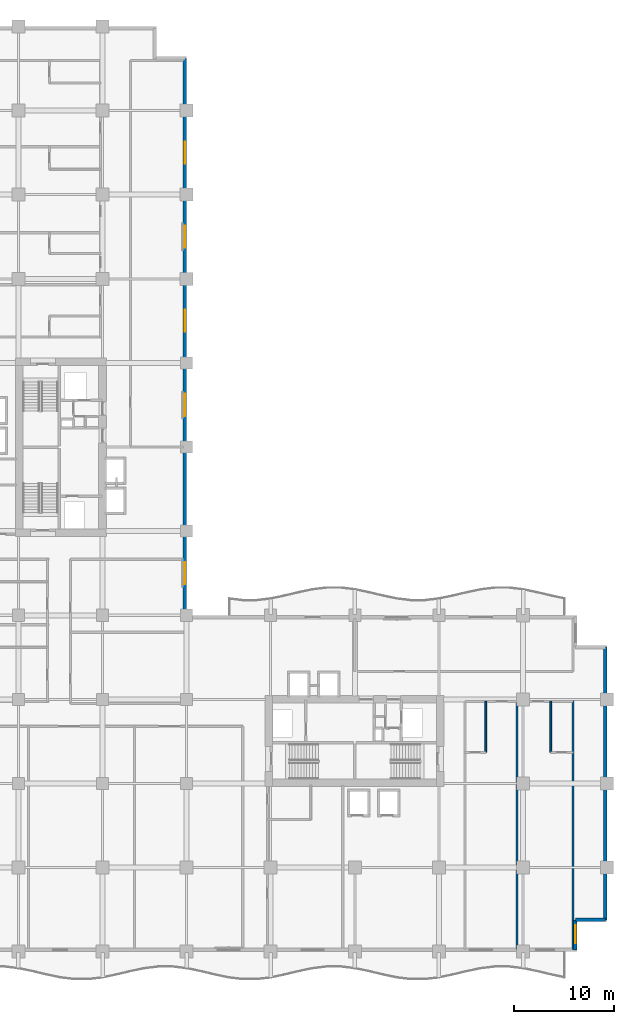
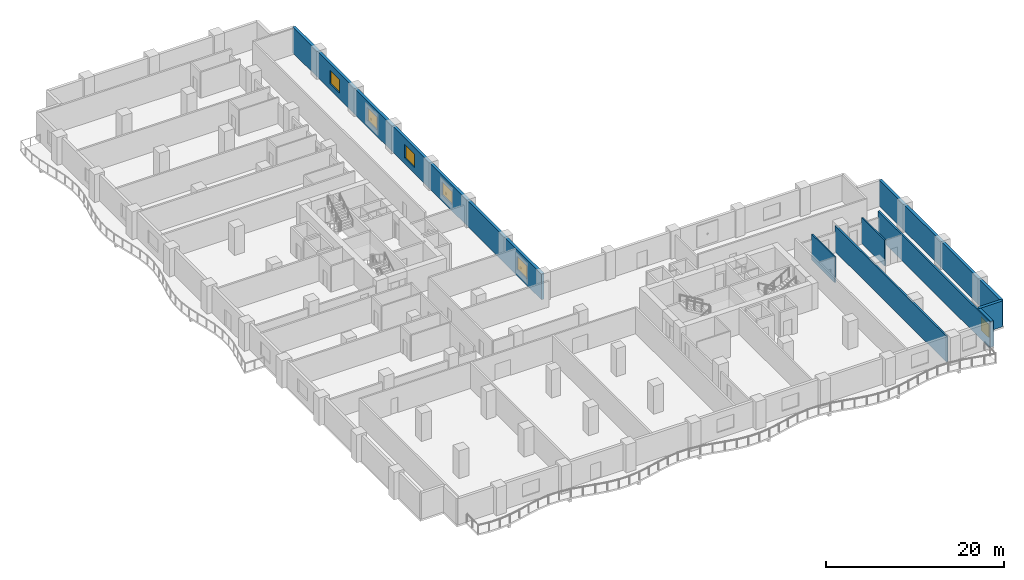
# One storey, part 9 of 18: 8 walls, 6 windows, 6 openings.
"""IFC4 building model written with IfcOpenShell, lengths in metres."""

from ifc_helpers import new_model, si_unit, direction, frame, frame_2d, origin, place, context, subcontext, project, spatial, rectangle, extrude, material, layer, layer_set, type_object, element, fill, save


model = new_model("IFC4")

# Units and contexts
model_context = context("Model", 3, precision=1e-05, world=origin(), true_north=direction((0.0, 1.0)))
body_context = subcontext(model_context, "Body", "Model", "MODEL_VIEW")
ifc_project = project(units=[si_unit("LENGTHUNIT", "METRE"), si_unit("AREAUNIT", "SQUARE_METRE"), si_unit("VOLUMEUNIT", "CUBIC_METRE"), si_unit("PLANEANGLEUNIT", "RADIAN"), si_unit("MASSUNIT", "GRAM", prefix="KILO")], contexts=[model_context])

# Site, building, storey
site_placement = place(None, origin())
site = spatial("IfcSite", under=ifc_project, at=site_placement, CompositionType="ELEMENT")
building_placement = place(site_placement, origin())
building = spatial("IfcBuilding", under=site, at=building_placement, Name="Koriwani Terraces Tower", CompositionType="ELEMENT")
storey_placement = place(building_placement, frame((0.0, 0.0, 145.60009765625)))
storey = spatial("IfcBuildingStorey", under=building, at=storey_placement, Name="L35", CompositionType="ELEMENT", Elevation=145.60009765625)

# Walls
ifc_material_1 = material(Name="Autoclaved Cellular Concrete Blockwork", Category="masonry")
ifc_layer_1 = layer(ifc_material_1, 0.219970703125, Name="Autoclaved Cellular Concrete Blockwork")
ifc_layer_set_1 = layer_set([ifc_layer_1], Name="Autoclaved Cellular Concrete Blockwork")
wall_type_1 = type_object("IfcWallType", Name="WALL_DEMISING_220", PredefinedType="PARTITIONING", material=ifc_layer_set_1)
for number, where, z_axis, x_axis, name in (
    (1, (66.60009765625, 0.199951171875, 0.0), (0.0, 0.0, 1.0), (0.0, 1.0, 0.0), "L35 Interior Wall WDEM-L35-SE-1"),
    (2, (72.199951171875, 0.199951171875, 0.0), (0.0, 0.0, 1.0), (0.0, 1.0, 0.0), "L35 Interior Wall WDEME-L35-SE"),
):
    element("IfcWall", number, at=place(storey_placement, frame(where, z_axis=z_axis, x_axis=x_axis)), inside=storey, type_object=wall_type_1, Name=name, PredefinedType="PARTITIONING", context=body_context, shape_type="SweptSolid", body=[
        extrude(rectangle(XDim=24.97998046875, YDim=0.219970703125, at=frame_2d((12.489990234375, 0.0))), origin(), (0.0, 0.0, 1.0), 3.5498046875),
    ])

# Wall, openings, windows
ifc_material_2 = material(Name="Concrete C50/60", Category="concrete")
ifc_layer_2 = layer(ifc_material_2, 0.35009765625, Name="Concrete C50/60")
ifc_layer_set_2 = layer_set([ifc_layer_2], Name="Concrete C50/60")
wall_type_2 = type_object("IfcWallType", Name="WALL_EXT_BRUTALIST_350", PredefinedType="STANDARD", material=ifc_layer_set_2)
wall_1_placement = place(storey_placement, frame((33.425048828125, 89.22509765625, 0.0), z_axis=(0.0, 0.0, 1.0), x_axis=(0.0, -1.0, 0.0)))
wall_1 = element("IfcWall", 3, at=wall_1_placement, inside=storey, type_object=wall_type_2, Name="L35 Fair-Faced Brutalist Exterior Wall (NW_IN)", PredefinedType="STANDARD", context=body_context, shape_type="SweptSolid", body=[
    extrude(rectangle(XDim=55.800048828125, YDim=0.35009765625, at=frame_2d((27.89990234375, 0.0))), origin(), (0.0, 0.0, 1.0), 3.5498046875),
])
opening_1_placement = place(wall_1_placement, frame((50.324951171875, 0.0, 0.85009765625)))
opening_1 = element("IfcOpeningElement", 4, at=opening_1_placement, cuts=wall_1, Name="Opening W-01", PredefinedType="OPENING", context=body_context, shape_type="SweptSolid", body=[
    extrude(rectangle(XDim=2.199951171875, YDim=1.800048828125, at=frame_2d((1.10009765625, 0.89990234375))), frame((0.0, 0.18505859375, 0.0), z_axis=(0.0, -1.0, 0.0), x_axis=(1.0, 0.0, 0.0)), (0.0, 0.0, 1.0), 0.3701171875),
])
opening_2_placement = place(wall_1_placement, frame((33.52490234375, 0.0, 0.85009765625)))
opening_2 = element("IfcOpeningElement", 5, at=opening_2_placement, cuts=wall_1, Name="Opening W-01", PredefinedType="OPENING", context=body_context, shape_type="SweptSolid", body=[
    extrude(rectangle(XDim=2.199951171875, YDim=1.800048828125, at=frame_2d((1.10009765625, 0.89990234375))), frame((0.0, 0.18505859375, 0.0), z_axis=(0.0, -1.0, 0.0), x_axis=(1.0, 0.0, 0.0)), (0.0, 0.0, 1.0), 0.3701171875),
])
opening_3_placement = place(wall_1_placement, frame((25.125, 0.0, 0.85009765625)))
opening_3 = element("IfcOpeningElement", 6, at=opening_3_placement, cuts=wall_1, Name="Opening W-01", PredefinedType="OPENING", context=body_context, shape_type="SweptSolid", body=[
    extrude(rectangle(XDim=2.199951171875, YDim=1.800048828125, at=frame_2d((1.10009765625, 0.89990234375))), frame((0.0, 0.18505859375, 0.0), z_axis=(0.0, -1.0, 0.0), x_axis=(1.0, 0.0, 0.0)), (0.0, 0.0, 1.0), 0.3701171875),
])
opening_4_placement = place(wall_1_placement, frame((16.72509765625, 0.0, 0.85009765625)))
opening_4 = element("IfcOpeningElement", 7, at=opening_4_placement, cuts=wall_1, Name="Opening W-01", PredefinedType="OPENING", context=body_context, shape_type="SweptSolid", body=[
    extrude(rectangle(XDim=2.199951171875, YDim=1.800048828125, at=frame_2d((1.10009765625, 0.89990234375))), frame((0.0, 0.18505859375, 0.0), z_axis=(0.0, -1.0, 0.0), x_axis=(1.0, 0.0, 0.0)), (0.0, 0.0, 1.0), 0.3701171875),
])
opening_5_placement = place(wall_1_placement, frame((8.324951171875, 0.0, 0.85009765625)))
opening_5 = element("IfcOpeningElement", 8, at=opening_5_placement, cuts=wall_1, Name="Opening W-01", PredefinedType="OPENING", context=body_context, shape_type="SweptSolid", body=[
    extrude(rectangle(XDim=2.199951171875, YDim=1.800048828125, at=frame_2d((1.10009765625, 0.89990234375))), frame((0.0, 0.18505859375, 0.0), z_axis=(0.0, -1.0, 0.0), x_axis=(1.0, 0.0, 0.0)), (0.0, 0.0, 1.0), 0.3701171875),
])
ifc_material_3 = material(Name="Tempered Laminated Low-E Glass", Category="glass")
window_type_1 = type_object("IfcWindowType", Name="WIN_HOTEL_STD_2200X1800", PartitioningType="DOUBLE_PANEL_VERTICAL", PredefinedType="WINDOW", material=ifc_material_3)
window_1_placement = place(opening_1_placement, origin())
window_1 = element("IfcWindow", 9, at=window_1_placement, inside=storey, type_object=window_type_1, Name="L35 Exterior Window (NW_IN-2)", OverallHeight=1.800048828125, OverallWidth=2.199951171875, PartitioningType="SINGLE_PANEL", PredefinedType="WINDOW", context=body_context, shape_type="SweptSolid", body=[
    extrude(rectangle(XDim=2.199951171875, YDim=1.800048828125, at=frame_2d((1.10009765625, 0.89990234375))), frame((0.0, 0.030029296875, 0.0), z_axis=(0.0, -1.0, 0.0), x_axis=(1.0, 0.0, 0.0)), (0.0, 0.0, 1.0), 0.06005859375),
])
fill(opening_1, window_1)
window_2_placement = place(opening_2_placement, origin())
window_2 = element("IfcWindow", 10, at=window_2_placement, inside=storey, type_object=window_type_1, Name="L35 Exterior Window (NW_IN-8)", OverallHeight=1.800048828125, OverallWidth=2.199951171875, PartitioningType="SINGLE_PANEL", PredefinedType="WINDOW", context=body_context, shape_type="SweptSolid", body=[
    extrude(rectangle(XDim=2.199951171875, YDim=1.800048828125, at=frame_2d((1.10009765625, 0.89990234375))), frame((0.0, 0.030029296875, 0.0), z_axis=(0.0, -1.0, 0.0), x_axis=(1.0, 0.0, 0.0)), (0.0, 0.0, 1.0), 0.06005859375),
])
fill(opening_2, window_2)
window_3_placement = place(opening_3_placement, origin())
window_3 = element("IfcWindow", 11, at=window_3_placement, inside=storey, type_object=window_type_1, Name="L35 Exterior Window (NW_IN-11)", OverallHeight=1.800048828125, OverallWidth=2.199951171875, PartitioningType="SINGLE_PANEL", PredefinedType="WINDOW", context=body_context, shape_type="SweptSolid", body=[
    extrude(rectangle(XDim=2.199951171875, YDim=1.800048828125, at=frame_2d((1.10009765625, 0.89990234375))), frame((0.0, 0.030029296875, 0.0), z_axis=(0.0, -1.0, 0.0), x_axis=(1.0, 0.0, 0.0)), (0.0, 0.0, 1.0), 0.06005859375),
])
fill(opening_3, window_3)
window_4_placement = place(opening_4_placement, origin())
window_4 = element("IfcWindow", 12, at=window_4_placement, inside=storey, type_object=window_type_1, Name="L35 Exterior Window (NW_IN-14)", OverallHeight=1.800048828125, OverallWidth=2.199951171875, PartitioningType="SINGLE_PANEL", PredefinedType="WINDOW", context=body_context, shape_type="SweptSolid", body=[
    extrude(rectangle(XDim=2.199951171875, YDim=1.800048828125, at=frame_2d((1.10009765625, 0.89990234375))), frame((0.0, 0.030029296875, 0.0), z_axis=(0.0, -1.0, 0.0), x_axis=(1.0, 0.0, 0.0)), (0.0, 0.0, 1.0), 0.06005859375),
])
fill(opening_4, window_4)
window_5_placement = place(opening_5_placement, origin())
window_5 = element("IfcWindow", 13, at=window_5_placement, inside=storey, type_object=window_type_1, Name="L35 Exterior Window (NW_IN-17)", OverallHeight=1.800048828125, OverallWidth=2.199951171875, PartitioningType="SINGLE_PANEL", PredefinedType="WINDOW", context=body_context, shape_type="SweptSolid", body=[
    extrude(rectangle(XDim=2.199951171875, YDim=1.800048828125, at=frame_2d((1.10009765625, 0.89990234375))), frame((0.0, 0.030029296875, 0.0), z_axis=(0.0, -1.0, 0.0), x_axis=(1.0, 0.0, 0.0)), (0.0, 0.0, 1.0), 0.06005859375),
])
fill(opening_5, window_5)

# Walls
wall_2_placement = place(storey_placement, frame((75.425048828125, 30.425048828125, 0.0), z_axis=(0.0, 0.0, 1.0), x_axis=(0.0, -1.0, 0.0)))
element("IfcWall", 14, at=wall_2_placement, inside=storey, type_object=wall_type_2, Name="L35 Fair-Faced Brutalist Exterior Wall (E_TIP)", PredefinedType="STANDARD", context=body_context, shape_type="SweptSolid", body=[
    extrude(rectangle(XDim=27.25, YDim=0.35009765625, at=frame_2d((13.625, 0.0))), origin(), (0.0, 0.0, 1.0), 3.5498046875),
])
wall_3_placement = place(storey_placement, frame((75.425048828125, 3.175048828125, 0.0), z_axis=(0.0, 0.0, 1.0), x_axis=(-1.0, 0.0, 0.0)))
element("IfcWall", 15, at=wall_3_placement, inside=storey, type_object=wall_type_2, Name="L35 Fair-Faced Brutalist Exterior Wall (N13)", PredefinedType="STANDARD", context=body_context, shape_type="SweptSolid", body=[
    extrude(rectangle(XDim=3.0, YDim=0.35009765625, at=frame_2d((1.5, 0.0))), origin(), (0.0, 0.0, 1.0), 3.5498046875),
])

# Wall, opening, window
wall_4_placement = place(storey_placement, frame((72.425048828125, 3.175048828125, 0.0), z_axis=(0.0, 0.0, 1.0), x_axis=(0.0, -1.0, 0.0)))
wall_4 = element("IfcWall", 16, at=wall_4_placement, inside=storey, type_object=wall_type_2, Name="L35 Fair-Faced Brutalist Exterior Wall (N14)", PredefinedType="STANDARD", context=body_context, shape_type="SweptSolid", body=[
    extrude(rectangle(XDim=3.0, YDim=0.35009765625, at=frame_2d((1.5, 0.0))), origin(), (0.0, 0.0, 1.0), 3.5498046875),
])
opening_6_placement = place(wall_4_placement, frame((0.5224609375, 0.0, 0.85009765625)))
opening_6 = element("IfcOpeningElement", 17, at=opening_6_placement, cuts=wall_4, Name="Opening W-04", PredefinedType="OPENING", context=body_context, shape_type="SweptSolid", body=[
    extrude(rectangle(XDim=1.800048828125, YDim=1.800048828125, at=frame_2d((0.89990234375, 0.89990234375))), frame((0.0, 0.18505859375, 0.0), z_axis=(0.0, -1.0, 0.0), x_axis=(1.0, 0.0, 0.0)), (0.0, 0.0, 1.0), 0.3701171875),
])
window_type_2 = type_object("IfcWindowType", Name="WIN_RES_BED_1800X1800", PartitioningType="DOUBLE_PANEL_VERTICAL", PredefinedType="WINDOW", material=ifc_material_3)
window_6_placement = place(opening_6_placement, origin())
window_6 = element("IfcWindow", 18, at=window_6_placement, inside=storey, type_object=window_type_2, Name="L35 Exterior Window (N14-R50)", OverallHeight=1.800048828125, OverallWidth=1.800048828125, PartitioningType="SINGLE_PANEL", PredefinedType="WINDOW", context=body_context, shape_type="SweptSolid", body=[
    extrude(rectangle(XDim=1.800048828125, YDim=1.800048828125, at=frame_2d((0.89990234375, 0.89990234375))), frame((0.0, 0.030029296875, 0.0), z_axis=(0.0, -1.0, 0.0), x_axis=(1.0, 0.0, 0.0)), (0.0, 0.0, 1.0), 0.06005859375),
])
fill(opening_6, window_6)

# Walls
ifc_material_4 = material(Name="Fire-Rated Acoustic Gypsum Partition", Category="masonry")
ifc_layer_3 = layer(ifc_material_4, 0.179931640625, Name="Fire-Rated Acoustic Gypsum Partition")
ifc_layer_set_3 = layer_set([ifc_layer_3], Name="Fire-Rated Acoustic Gypsum Partition")
wall_type_3 = type_object("IfcWallType", Name="WALL_PLUMBING_180", PredefinedType="PLUMBINGWALL", material=ifc_layer_set_3)
for number, where, z_axis, x_axis, name in (
    (19, (63.47998046875, 19.89990234375, 0.0), (0.0, 0.0, 1.0), (0.0, 1.0, 0.0), "L35 Interior Wall WBTH2-L35-SE-0"),
    (20, (69.9599609375, 19.89990234375, 0.0), (0.0, 0.0, 1.0), (0.0, 1.0, 0.0), "L35 Interior Wall WBTH2-L35-SE-1"),
):
    element("IfcWall", number, at=place(storey_placement, frame(where, z_axis=z_axis, x_axis=x_axis)), inside=storey, type_object=wall_type_3, Name=name, PredefinedType="PLUMBINGWALL", context=body_context, shape_type="SweptSolid", body=[
        extrude(rectangle(XDim=5.10009765625, YDim=0.179931640625, at=frame_2d((2.550048828125, 0.0))), origin(), (0.0, 0.0, 1.0), 3.5498046875),
    ])

save(model, "model.ifc")
